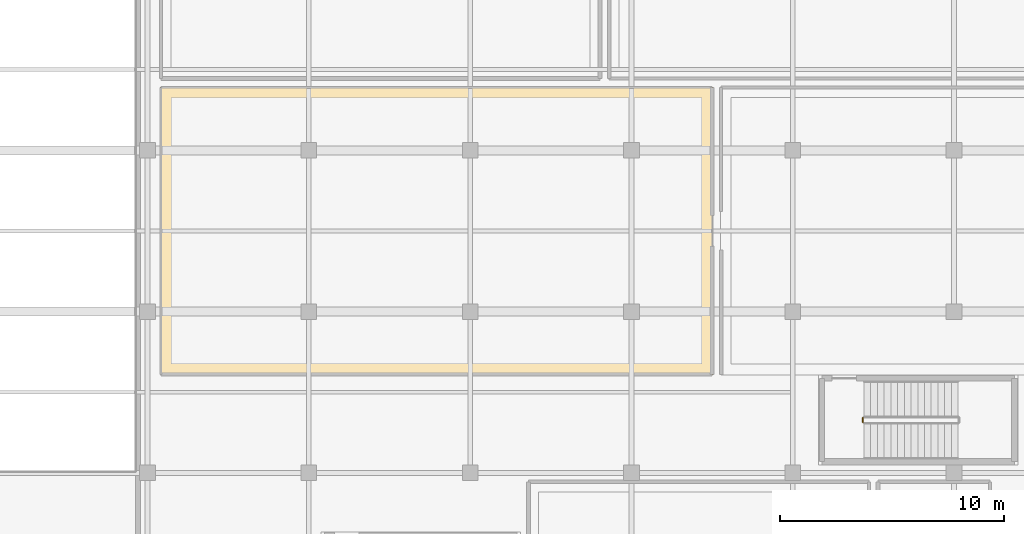
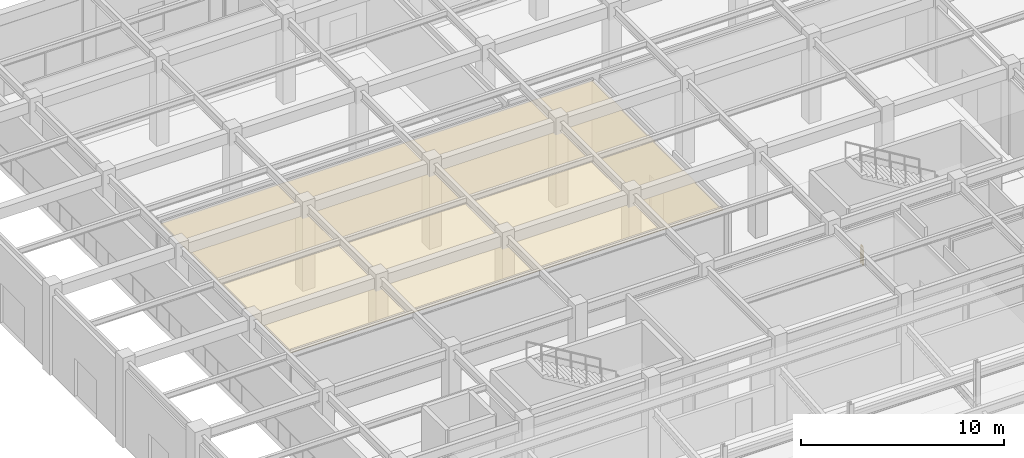
# One storey, part 89 of 102: 1 covering, 1 railing.
"""IFC4 building model written with IfcOpenShell, lengths in metres."""

from ifc_helpers import new_model, si_unit, direction, frame, origin, origin_2d, place, context, subcontext, project, spatial, polyline, circle, outline, extrude, material, layer, layer_set, type_object, element, save


model = new_model("IFC4")

# Units and contexts
model_context = context("Model", 3, precision=1e-05, world=origin(), true_north=direction((0.0, 1.0)))
body_context = subcontext(model_context, "Body", "Model", "MODEL_VIEW")
ifc_project = project(units=[si_unit("LENGTHUNIT", "METRE"), si_unit("AREAUNIT", "SQUARE_METRE"), si_unit("VOLUMEUNIT", "CUBIC_METRE"), si_unit("PLANEANGLEUNIT", "RADIAN"), si_unit("MASSUNIT", "GRAM", prefix="KILO")], contexts=[model_context])

# Site, building, storey
site_placement = place(None, origin())
site = spatial("IfcSite", under=ifc_project, at=site_placement, CompositionType="ELEMENT")
building_placement = place(site_placement, origin())
building = spatial("IfcBuilding", under=site, at=building_placement, Name="Carrowvane Square Congress Hotel", CompositionType="ELEMENT")
storey_placement = place(building_placement, origin())
storey = spatial("IfcBuildingStorey", under=building, at=storey_placement, Name="L00", CompositionType="ELEMENT", Elevation=0.0)

# Covering
ifc_material_1 = material(Name="European oak timber", Category="wood")
ifc_layer_1 = layer(ifc_material_1, 0.02490234375)
ifc_layer_set_1 = layer_set([ifc_layer_1], Name="European oak timber")
covering_type = type_object("IfcCoveringType", Name="COV-CLG-WD25", PredefinedType="CEILING", material=ifc_layer_set_1)
covering_placement = place(storey_placement, frame((0.0, 0.0, 4.360107421875)))
element("IfcCovering", 1, at=covering_placement, inside=storey, type_object=covering_type, Name="L00 Thermal Spa Reception Lounge acoustic ceiling", PredefinedType="CEILING", context=body_context, shape_type="SweptSolid", body=[
    extrude(outline(polyline([(19.394287109375, 73.01904296875), (19.39599609375, 73.01953125), (19.39794921875, 73.02001953125), (19.39990234375, 73.02001953125), (44.0, 73.02001953125), (44.001953125, 73.02001953125), (44.00390625, 73.01953125), (44.005859375, 73.01904296875), (44.0078125, 73.0185546875), (44.009521484375, 73.017578125), (44.010986328125, 73.0166015625), (44.0126953125, 73.015380859375), (44.01416015625, 73.01416015625), (44.015380859375, 73.0126953125), (44.0166015625, 73.010986328125), (44.017578125, 73.009521484375), (44.0185546875, 73.0078125), (44.01904296875, 73.005859375), (44.01953125, 73.00390625), (44.02001953125, 73.001953125), (44.02001953125, 73.0), (44.02001953125, 60.199951171875), (44.02001953125, 60.197998046875), (44.01953125, 60.196044921875), (44.01904296875, 60.194091796875), (44.0185546875, 60.1923828125), (44.017578125, 60.190673828125), (44.0166015625, 60.18896484375), (44.015380859375, 60.187255859375), (44.01416015625, 60.185791015625), (44.0126953125, 60.1845703125), (44.010986328125, 60.183349609375), (44.009521484375, 60.182373046875), (44.0078125, 60.181396484375), (44.005859375, 60.180908203125), (44.00390625, 60.180419921875), (44.001953125, 60.18017578125), (44.0, 60.179931640625), (19.39990234375, 60.179931640625), (19.39794921875, 60.18017578125), (19.39599609375, 60.180419921875), (19.394287109375, 60.180908203125), (19.392333984375, 60.181396484375), (19.390625, 60.182373046875), (19.388916015625, 60.183349609375), (19.38720703125, 60.1845703125), (19.385986328125, 60.185791015625), (19.384521484375, 60.187255859375), (19.38330078125, 60.18896484375), (19.38232421875, 60.190673828125), (19.381591796875, 60.1923828125), (19.380859375, 60.194091796875), (19.38037109375, 60.196044921875), (19.380126953125, 60.197998046875), (19.3798828125, 60.199951171875), (19.3798828125, 73.0), (19.380126953125, 73.001953125), (19.38037109375, 73.00390625), (19.380859375, 73.005859375), (19.381591796875, 73.0078125), (19.38232421875, 73.009521484375), (19.38330078125, 73.010986328125), (19.384521484375, 73.0126953125), (19.385986328125, 73.01416015625), (19.38720703125, 73.015380859375), (19.388916015625, 73.0166015625), (19.390625, 73.017578125), (19.392333984375, 73.0185546875), (19.394287109375, 73.01904296875)])), origin(), (0.0, 0.0, 1.0), 0.02490234375),
])

# Railing
ifc_material_2 = material(Name="Galvanised steel", Category="steel")
ifc_layer_2 = layer(ifc_material_2, 0.048095703125)
ifc_layer_set_2 = layer_set([ifc_layer_2], Name="Galvanised steel")
railing_type = type_object("IfcRailingType", Name="RLG-STG-1100", PredefinedType="GUARDRAIL", material=ifc_layer_set_2)
railing_placement = place(storey_placement, frame((50.72998046875, 58.06005859375, 0.0)))
element("IfcRailing", 2, at=railing_placement, inside=storey, type_object=railing_type, Name="L00 ST7 stair guard 4", PredefinedType="GUARDRAIL", context=body_context, shape_type="SweptSolid", body=[
    extrude(circle(Radius=0.02392578125, at=origin_2d()), frame((0.0, 0.0, 1.076171875), z_axis=(0.0, 1.0, 0.0), x_axis=(-1.0, 0.0, 0.0)), (0.0, 0.0, 1.0), 0.199951171875),
    extrude(circle(Radius=0.02099609375, at=origin_2d()), origin(), (0.0, 0.0, 1.0), 1.052001953125),
    extrude(circle(Radius=0.02099609375, at=origin_2d()), frame((0.0, 0.199951171875, 0.0)), (0.0, 0.0, 1.0), 1.052001953125),
])

save(model, "model.ifc")
